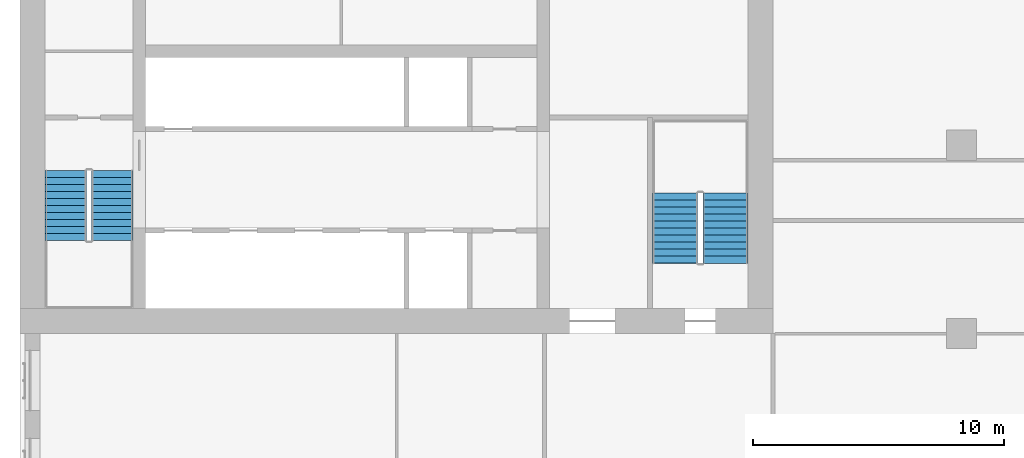
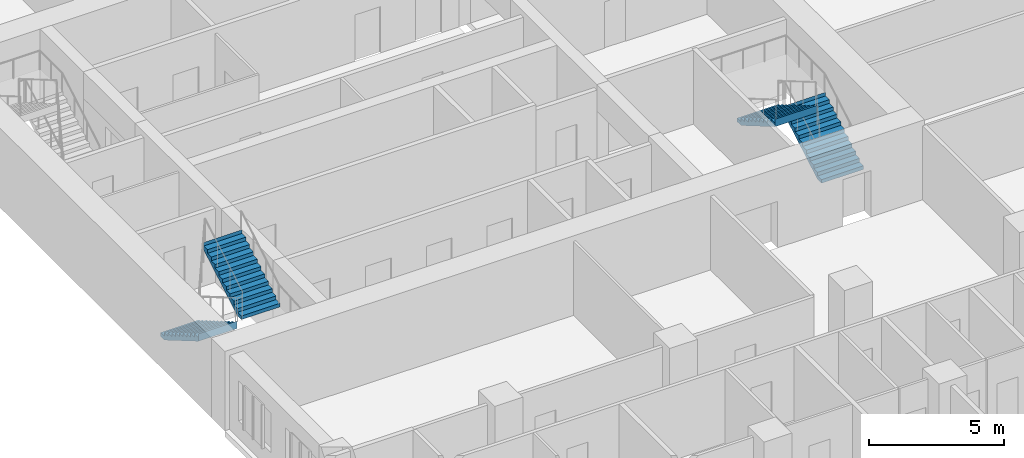
# One storey, part 13 of 15: 4 stair flights, 2 elements without a shape of their own.
"""IFC4 building model written with IfcOpenShell, lengths in metres."""

from ifc_helpers import new_model, si_unit, direction, frame, origin, place, context, subcontext, project, spatial, polyline, outline, extrude, material, type_object, element, aggregate, save


model = new_model("IFC4")

# Units and contexts
model_context = context("Model", 3, precision=1e-05, world=origin(), true_north=direction((0.0, 1.0)))
body_context = subcontext(model_context, "Body", "Model", "MODEL_VIEW")
ifc_project = project(units=[si_unit("LENGTHUNIT", "METRE"), si_unit("AREAUNIT", "SQUARE_METRE"), si_unit("VOLUMEUNIT", "CUBIC_METRE"), si_unit("PLANEANGLEUNIT", "RADIAN"), si_unit("MASSUNIT", "GRAM", prefix="KILO")], contexts=[model_context])

# Site, building, storey
site_placement = place(None, origin())
site = spatial("IfcSite", under=ifc_project, at=site_placement, CompositionType="ELEMENT")
building_placement = place(site_placement, origin())
building = spatial("IfcBuilding", under=site, at=building_placement, Name="Tamorin Gate", CompositionType="ELEMENT")
storey_placement = place(building_placement, frame((0.0, 0.0, 62.800048828125)))
storey = spatial("IfcBuildingStorey", under=building, at=storey_placement, Name="L14", CompositionType="ELEMENT", Elevation=62.800048828125)

# Stair, stair flights
ifc_material = material(Name="Concrete C40/50", Category="concrete")
stair_type = type_object("IfcStairType", Name="Exit stair", PredefinedType="HALF_TURN_STAIR", material=ifc_material)
stair_1_placement = place(storey_placement, origin())
stair_1 = element("IfcStair", 1, at=stair_1_placement, inside=storey, type_object=stair_type, Name="L14 stair ST1", PredefinedType="HALF_TURN_STAIR")
stair_flight_type = type_object("IfcStairFlightType", Name="Exit stair flight", PredefinedType="STRAIGHT", material=ifc_material)
stair_flight_1_placement = place(storey_placement, frame((31.824951171875, 66.5, 0.0), z_axis=(0.0, 0.0, 1.0), x_axis=(0.0, -1.0, 0.0)))
stair_flight_1 = element("IfcStairFlight", 2, at=stair_flight_1_placement, type_object=stair_flight_type, Name="ST1 flight 1", NumberOfRisers=11, NumberOfTreads=10, PredefinedType="STRAIGHT", RiserHeight=0.163636364, TreadLength=0.28, context=body_context, shape_type="SweptSolid", body=[
    extrude(outline(polyline([(-0.00048828125, 0.0), (-0.00048828125, 0.001708984375), (-0.00048828125, 0.003173828125), (-0.00048828125, 0.0048828125), (-0.00048828125, 0.006591796875), (-0.00048828125, 0.008056640625), (-0.00048828125, 0.009765625), (-0.00048828125, 0.01123046875), (-0.00048828125, 0.012939453125), (-0.00048828125, 0.0146484375), (-0.00048828125, 0.01611328125), (-0.00048828125, 0.017822265625), (-0.00048828125, 0.01953125), (-0.00048828125, 0.02099609375), (-0.00048828125, 0.022705078125), (-0.00048828125, 0.0244140625), (-0.00048828125, 0.02587890625), (-0.00048828125, 0.027587890625), (-0.00048828125, 0.029052734375), (-0.00048828125, 0.03076171875), (-0.00048828125, 0.032470703125), (-0.00048828125, 0.033935546875), (-0.00048828125, 0.03564453125), (-0.00048828125, 0.037353515625), (-0.00048828125, 0.038818359375), (-0.00048828125, 0.04052734375), (-0.00048828125, 0.042236328125), (-0.00048828125, 0.043701171875), (-0.00048828125, 0.04541015625), (-0.00048828125, 0.046875), (-0.00048828125, 0.048583984375), (-0.00048828125, 0.05029296875), (-0.00048828125, 0.0517578125), (-0.00048828125, 0.053466796875), (-0.00048828125, 0.05517578125), (-0.00048828125, 0.056640625), (-0.00048828125, 0.058349609375), (-0.00048828125, 0.06005859375), (-0.00048828125, 0.0615234375), (-0.00048828125, 0.063232421875), (-0.00048828125, 0.064697265625), (-0.00048828125, 0.06640625), (-0.00048828125, 0.068115234375), (-0.00048828125, 0.069580078125), (-0.00048828125, 0.0712890625), (-0.00048828125, 0.072998046875), (-0.00048828125, 0.074462890625), (-0.00048828125, 0.076171875), (-0.00048828125, 0.077880859375), (-0.00048828125, 0.079345703125), (-0.00048828125, 0.0810546875), (-0.00048828125, 0.08251953125), (-0.00048828125, 0.084228515625), (-0.00048828125, 0.0859375), (-0.00048828125, 0.08740234375), (-0.00048828125, 0.089111328125), (-0.00048828125, 0.0908203125), (-0.00048828125, 0.09228515625), (-0.00048828125, 0.093994140625), (-0.00048828125, 0.095703125), (-0.00048828125, 0.09716796875), (-0.00048828125, 0.098876953125), (-0.00048828125, 0.100341796875), (-0.00048828125, 0.10205078125), (-0.00048828125, 0.103759765625), (-0.00048828125, 0.105224609375), (-0.00048828125, 0.10693359375), (-0.00048828125, 0.108642578125), (-0.00048828125, 0.110107421875), (-0.00048828125, 0.11181640625), (-0.00048828125, 0.113525390625), (-0.00048828125, 0.114990234375), (-0.00048828125, 0.11669921875), (-0.00048828125, 0.1181640625), (-0.00048828125, 0.119873046875), (-0.00048828125, 0.12158203125), (-0.00048828125, 0.123046875), (-0.00048828125, 0.124755859375), (-0.00048828125, 0.12646484375), (-0.00048828125, 0.1279296875), (-0.00048828125, 0.129638671875), (-0.00048828125, 0.13134765625), (-0.00048828125, 0.1328125), (-0.00048828125, 0.134521484375), (-0.00048828125, 0.135986328125), (-0.00048828125, 0.1376953125), (-0.00048828125, 0.139404296875), (-0.00048828125, 0.140869140625), (-0.00048828125, 0.142578125), (-0.00048828125, 0.144287109375), (-0.00048828125, 0.145751953125), (-0.00048828125, 0.1474609375), (-0.00048828125, 0.149169921875), (-0.00048828125, 0.150634765625), (-0.00048828125, 0.15234375), (-0.00048828125, 0.15380859375), (-0.00048828125, 0.155517578125), (-0.00048828125, 0.1572265625), (-0.00048828125, 0.15869140625), (-0.00048828125, 0.160400390625), (-0.00048828125, 0.162109375), (-0.00048828125, 0.16357421875), (0.280029296875, 0.16357421875), (0.280029296875, 0.327392578125), (0.56005859375, 0.327392578125), (0.56005859375, 0.490966796875), (0.840087890625, 0.490966796875), (0.840087890625, 0.654541015625), (1.1201171875, 0.654541015625), (1.1201171875, 0.818115234375), (1.39990234375, 0.818115234375), (1.39990234375, 0.98193359375), (1.679931640625, 0.98193359375), (1.679931640625, 1.1455078125), (1.9599609375, 1.1455078125), (1.9599609375, 1.30908203125), (2.239990234375, 1.30908203125), (2.239990234375, 1.47265625), (2.52001953125, 1.47265625), (2.52001953125, 1.636474609375), (2.800048828125, 1.636474609375), (2.800048828125, 1.800048828125), (2.800537109375, 1.800048828125), (2.800537109375, 1.796630859375), (2.800537109375, 1.793212890625), (2.800537109375, 1.7900390625), (2.800537109375, 1.78662109375), (2.800537109375, 1.783203125), (2.800537109375, 1.780029296875), (2.800537109375, 1.776611328125), (2.800537109375, 1.773193359375), (2.800537109375, 1.77001953125), (2.800537109375, 1.7666015625), (2.800537109375, 1.76318359375), (2.800537109375, 1.760009765625), (2.800537109375, 1.756591796875), (2.800537109375, 1.753173828125), (2.800537109375, 1.75), (2.800537109375, 1.74658203125), (2.800537109375, 1.7431640625), (2.800537109375, 1.739990234375), (2.800537109375, 1.736572265625), (2.800537109375, 1.733154296875), (2.800537109375, 1.72998046875), (2.800537109375, 1.7265625), (2.800537109375, 1.72314453125), (2.800537109375, 1.719970703125), (2.800537109375, 1.716552734375), (2.800537109375, 1.713134765625), (2.800537109375, 1.7099609375), (2.800537109375, 1.70654296875), (2.800537109375, 1.703125), (2.800537109375, 1.69970703125), (2.800537109375, 1.696533203125), (2.800537109375, 1.693115234375), (2.800537109375, 1.689697265625), (2.800537109375, 1.6865234375), (2.800537109375, 1.68310546875), (2.800537109375, 1.6796875), (2.800537109375, 1.676513671875), (2.800537109375, 1.673095703125), (2.800537109375, 1.669677734375), (2.800537109375, 1.66650390625), (2.800537109375, 1.6630859375), (2.800537109375, 1.65966796875), (2.800537109375, 1.656494140625), (2.800537109375, 1.653076171875), (2.800537109375, 1.649658203125), (2.800537109375, 1.646484375), (2.800537109375, 1.64306640625), (2.800537109375, 1.6396484375), (2.800537109375, 1.636474609375), (2.800537109375, 1.633056640625), (2.800537109375, 1.629638671875), (2.800537109375, 1.62646484375), (2.800537109375, 1.623046875), (2.800537109375, 1.61962890625), (2.800537109375, 1.616455078125), (2.800537109375, 1.613037109375), (2.800537109375, 1.609619140625), (2.800537109375, 1.6064453125), (2.800537109375, 1.60302734375), (2.800537109375, 1.599609375), (2.800537109375, 1.59619140625), (2.800537109375, 1.593017578125), (2.800537109375, 1.589599609375), (2.800537109375, 1.586181640625), (2.800537109375, 1.5830078125), (2.800537109375, 1.57958984375), (2.800537109375, 1.576171875), (2.800537109375, 1.572998046875), (2.800537109375, 1.569580078125), (2.800537109375, 1.566162109375), (2.800537109375, 1.56298828125), (2.800537109375, 1.5595703125), (2.800537109375, 1.55615234375), (2.800537109375, 1.552978515625), (2.800537109375, 1.549560546875), (2.800537109375, 1.546142578125), (2.800537109375, 1.54296875), (2.800537109375, 1.53955078125), (2.800537109375, 1.5361328125), (2.800537109375, 1.532958984375), (2.800537109375, 1.529541015625), (2.800537109375, 1.526123046875), (2.800537109375, 1.52294921875), (2.800537109375, 1.51953125), (2.800537109375, 1.51611328125), (2.800537109375, 1.512939453125), (2.800537109375, 1.509521484375), (2.800537109375, 1.506103515625), (2.800537109375, 1.5029296875), (2.800537109375, 1.49951171875), (2.800537109375, 1.49609375), (2.800537109375, 1.49267578125), (2.800537109375, 1.489501953125), (2.800537109375, 1.486083984375), (2.800537109375, 1.482666015625), (2.800537109375, 1.4794921875), (2.800537109375, 1.47607421875), (2.800537109375, 1.47265625), (2.800537109375, 1.469482421875), (2.800537109375, 1.466064453125), (2.800537109375, 1.462646484375), (2.800048828125, 1.462646484375), (0.297119140625, 0.0), (-0.00048828125, 0.0)])), frame((0.0, 0.824951171875, 0.0), z_axis=(0.0, -1.0, 0.0), x_axis=(1.0, 0.0, 0.0)), (0.0, 0.0, 1.0), 1.64990234375),
])
stair_flight_2_placement = place(storey_placement, frame((33.675048828125, 63.699951171875, 1.800048828125), z_axis=(0.0, 0.0, 1.0), x_axis=(0.0, 1.0, 0.0)))
stair_flight_2 = element("IfcStairFlight", 3, at=stair_flight_2_placement, type_object=stair_flight_type, Name="ST1 flight 2", NumberOfRisers=11, NumberOfTreads=10, PredefinedType="STRAIGHT", RiserHeight=0.163636364, TreadLength=0.28, context=body_context, shape_type="SweptSolid", body=[
    extrude(outline(polyline([(-0.00048828125, 0.0), (-0.00048828125, 0.001708984375), (-0.00048828125, 0.003173828125), (-0.00048828125, 0.0048828125), (-0.00048828125, 0.006591796875), (-0.00048828125, 0.008056640625), (-0.00048828125, 0.009765625), (-0.00048828125, 0.01123046875), (-0.00048828125, 0.012939453125), (-0.00048828125, 0.0146484375), (-0.00048828125, 0.01611328125), (-0.00048828125, 0.017822265625), (-0.00048828125, 0.01953125), (-0.00048828125, 0.02099609375), (-0.00048828125, 0.022705078125), (-0.00048828125, 0.0244140625), (-0.00048828125, 0.02587890625), (-0.00048828125, 0.027587890625), (-0.00048828125, 0.029052734375), (-0.00048828125, 0.03076171875), (-0.00048828125, 0.032470703125), (-0.00048828125, 0.033935546875), (-0.00048828125, 0.03564453125), (-0.00048828125, 0.037353515625), (-0.00048828125, 0.038818359375), (-0.00048828125, 0.04052734375), (-0.00048828125, 0.042236328125), (-0.00048828125, 0.043701171875), (-0.00048828125, 0.04541015625), (-0.00048828125, 0.046875), (-0.00048828125, 0.048583984375), (-0.00048828125, 0.05029296875), (-0.00048828125, 0.0517578125), (-0.00048828125, 0.053466796875), (-0.00048828125, 0.05517578125), (-0.00048828125, 0.056640625), (-0.00048828125, 0.058349609375), (-0.00048828125, 0.06005859375), (-0.00048828125, 0.0615234375), (-0.00048828125, 0.063232421875), (-0.00048828125, 0.064697265625), (-0.00048828125, 0.06640625), (-0.00048828125, 0.068115234375), (-0.00048828125, 0.069580078125), (-0.00048828125, 0.0712890625), (-0.00048828125, 0.072998046875), (-0.00048828125, 0.074462890625), (-0.00048828125, 0.076171875), (-0.00048828125, 0.077880859375), (-0.00048828125, 0.079345703125), (-0.00048828125, 0.0810546875), (-0.00048828125, 0.08251953125), (-0.00048828125, 0.084228515625), (-0.00048828125, 0.0859375), (-0.00048828125, 0.08740234375), (-0.00048828125, 0.089111328125), (-0.00048828125, 0.0908203125), (-0.00048828125, 0.09228515625), (-0.00048828125, 0.093994140625), (-0.00048828125, 0.095703125), (-0.00048828125, 0.09716796875), (-0.00048828125, 0.098876953125), (-0.00048828125, 0.100341796875), (-0.00048828125, 0.10205078125), (-0.00048828125, 0.103759765625), (-0.00048828125, 0.105224609375), (-0.00048828125, 0.10693359375), (-0.00048828125, 0.108642578125), (-0.00048828125, 0.110107421875), (-0.00048828125, 0.11181640625), (-0.00048828125, 0.113525390625), (-0.00048828125, 0.114990234375), (-0.00048828125, 0.11669921875), (-0.00048828125, 0.1181640625), (-0.00048828125, 0.119873046875), (-0.00048828125, 0.12158203125), (-0.00048828125, 0.123046875), (-0.00048828125, 0.124755859375), (-0.00048828125, 0.12646484375), (-0.00048828125, 0.1279296875), (-0.00048828125, 0.129638671875), (-0.00048828125, 0.13134765625), (-0.00048828125, 0.1328125), (-0.00048828125, 0.134521484375), (-0.00048828125, 0.135986328125), (-0.00048828125, 0.1376953125), (-0.00048828125, 0.139404296875), (-0.00048828125, 0.140869140625), (-0.00048828125, 0.142578125), (-0.00048828125, 0.144287109375), (-0.00048828125, 0.145751953125), (-0.00048828125, 0.1474609375), (-0.00048828125, 0.149169921875), (-0.00048828125, 0.150634765625), (-0.00048828125, 0.15234375), (-0.00048828125, 0.15380859375), (-0.00048828125, 0.155517578125), (-0.00048828125, 0.1572265625), (-0.00048828125, 0.15869140625), (-0.00048828125, 0.160400390625), (-0.00048828125, 0.162109375), (-0.00048828125, 0.16357421875), (0.280029296875, 0.16357421875), (0.280029296875, 0.327392578125), (0.56005859375, 0.327392578125), (0.56005859375, 0.490966796875), (0.840087890625, 0.490966796875), (0.840087890625, 0.654541015625), (1.1201171875, 0.654541015625), (1.1201171875, 0.818115234375), (1.39990234375, 0.818115234375), (1.39990234375, 0.98193359375), (1.679931640625, 0.98193359375), (1.679931640625, 1.1455078125), (1.9599609375, 1.1455078125), (1.9599609375, 1.30908203125), (2.239990234375, 1.30908203125), (2.239990234375, 1.47265625), (2.52001953125, 1.47265625), (2.52001953125, 1.636474609375), (2.800048828125, 1.636474609375), (2.800048828125, 1.800048828125), (2.800537109375, 1.800048828125), (2.800537109375, 1.796630859375), (2.800537109375, 1.793212890625), (2.800537109375, 1.7900390625), (2.800537109375, 1.78662109375), (2.800537109375, 1.783203125), (2.800537109375, 1.780029296875), (2.800537109375, 1.776611328125), (2.800537109375, 1.773193359375), (2.800537109375, 1.77001953125), (2.800537109375, 1.7666015625), (2.800537109375, 1.76318359375), (2.800537109375, 1.760009765625), (2.800537109375, 1.756591796875), (2.800537109375, 1.753173828125), (2.800537109375, 1.75), (2.800537109375, 1.74658203125), (2.800537109375, 1.7431640625), (2.800537109375, 1.739990234375), (2.800537109375, 1.736572265625), (2.800537109375, 1.733154296875), (2.800537109375, 1.72998046875), (2.800537109375, 1.7265625), (2.800537109375, 1.72314453125), (2.800537109375, 1.719970703125), (2.800537109375, 1.716552734375), (2.800537109375, 1.713134765625), (2.800537109375, 1.7099609375), (2.800537109375, 1.70654296875), (2.800537109375, 1.703125), (2.800537109375, 1.69970703125), (2.800537109375, 1.696533203125), (2.800537109375, 1.693115234375), (2.800537109375, 1.689697265625), (2.800537109375, 1.6865234375), (2.800537109375, 1.68310546875), (2.800537109375, 1.6796875), (2.800537109375, 1.676513671875), (2.800537109375, 1.673095703125), (2.800537109375, 1.669677734375), (2.800537109375, 1.66650390625), (2.800537109375, 1.6630859375), (2.800537109375, 1.65966796875), (2.800537109375, 1.656494140625), (2.800537109375, 1.653076171875), (2.800537109375, 1.649658203125), (2.800537109375, 1.646484375), (2.800537109375, 1.64306640625), (2.800537109375, 1.6396484375), (2.800537109375, 1.636474609375), (2.800537109375, 1.633056640625), (2.800537109375, 1.629638671875), (2.800537109375, 1.62646484375), (2.800537109375, 1.623046875), (2.800537109375, 1.61962890625), (2.800537109375, 1.616455078125), (2.800537109375, 1.613037109375), (2.800537109375, 1.609619140625), (2.800537109375, 1.6064453125), (2.800537109375, 1.60302734375), (2.800537109375, 1.599609375), (2.800537109375, 1.59619140625), (2.800537109375, 1.593017578125), (2.800537109375, 1.589599609375), (2.800537109375, 1.586181640625), (2.800537109375, 1.5830078125), (2.800537109375, 1.57958984375), (2.800537109375, 1.576171875), (2.800537109375, 1.572998046875), (2.800537109375, 1.569580078125), (2.800537109375, 1.566162109375), (2.800537109375, 1.56298828125), (2.800537109375, 1.5595703125), (2.800537109375, 1.55615234375), (2.800537109375, 1.552978515625), (2.800537109375, 1.549560546875), (2.800537109375, 1.546142578125), (2.800537109375, 1.54296875), (2.800537109375, 1.53955078125), (2.800537109375, 1.5361328125), (2.800537109375, 1.532958984375), (2.800537109375, 1.529541015625), (2.800537109375, 1.526123046875), (2.800537109375, 1.52294921875), (2.800537109375, 1.51953125), (2.800537109375, 1.51611328125), (2.800537109375, 1.512939453125), (2.800537109375, 1.509521484375), (2.800537109375, 1.506103515625), (2.800537109375, 1.5029296875), (2.800537109375, 1.49951171875), (2.800537109375, 1.49609375), (2.800537109375, 1.49267578125), (2.800537109375, 1.489501953125), (2.800537109375, 1.486083984375), (2.800537109375, 1.482666015625), (2.800537109375, 1.4794921875), (2.800537109375, 1.47607421875), (2.800537109375, 1.47265625), (2.800537109375, 1.469482421875), (2.800537109375, 1.466064453125), (2.800537109375, 1.462646484375), (2.800048828125, 1.462646484375), (0.297119140625, 0.0), (-0.00048828125, 0.0)])), frame((0.0, 0.824951171875, 0.0), z_axis=(0.0, -1.0, 0.0), x_axis=(1.0, 0.0, 0.0)), (0.0, 0.0, 1.0), 1.64990234375),
])
aggregate(stair_1, [stair_flight_1, stair_flight_2])

stair_2_placement = place(storey_placement, origin())
stair_2 = element("IfcStair", 4, at=stair_2_placement, inside=storey, type_object=stair_type, Name="L14 stair ST3", PredefinedType="HALF_TURN_STAIR")
stair_flight_3_placement = place(storey_placement, frame((58.10009765625, 62.800048828125, 0.0), z_axis=(0.0, 0.0, 1.0), x_axis=(0.0, 1.0, 0.0)))
stair_flight_3 = element("IfcStairFlight", 5, at=stair_flight_3_placement, type_object=stair_flight_type, Name="ST3 flight 1", NumberOfRisers=11, NumberOfTreads=10, PredefinedType="STRAIGHT", RiserHeight=0.163636364, TreadLength=0.28, context=body_context, shape_type="SweptSolid", body=[
    extrude(outline(polyline([(-0.00048828125, 0.0), (-0.00048828125, 0.001708984375), (-0.00048828125, 0.003173828125), (-0.00048828125, 0.0048828125), (-0.00048828125, 0.006591796875), (-0.00048828125, 0.008056640625), (-0.00048828125, 0.009765625), (-0.00048828125, 0.01123046875), (-0.00048828125, 0.012939453125), (-0.00048828125, 0.0146484375), (-0.00048828125, 0.01611328125), (-0.00048828125, 0.017822265625), (-0.00048828125, 0.01953125), (-0.00048828125, 0.02099609375), (-0.00048828125, 0.022705078125), (-0.00048828125, 0.0244140625), (-0.00048828125, 0.02587890625), (-0.00048828125, 0.027587890625), (-0.00048828125, 0.029052734375), (-0.00048828125, 0.03076171875), (-0.00048828125, 0.032470703125), (-0.00048828125, 0.033935546875), (-0.00048828125, 0.03564453125), (-0.00048828125, 0.037353515625), (-0.00048828125, 0.038818359375), (-0.00048828125, 0.04052734375), (-0.00048828125, 0.042236328125), (-0.00048828125, 0.043701171875), (-0.00048828125, 0.04541015625), (-0.00048828125, 0.046875), (-0.00048828125, 0.048583984375), (-0.00048828125, 0.05029296875), (-0.00048828125, 0.0517578125), (-0.00048828125, 0.053466796875), (-0.00048828125, 0.05517578125), (-0.00048828125, 0.056640625), (-0.00048828125, 0.058349609375), (-0.00048828125, 0.06005859375), (-0.00048828125, 0.0615234375), (-0.00048828125, 0.063232421875), (-0.00048828125, 0.064697265625), (-0.00048828125, 0.06640625), (-0.00048828125, 0.068115234375), (-0.00048828125, 0.069580078125), (-0.00048828125, 0.0712890625), (-0.00048828125, 0.072998046875), (-0.00048828125, 0.074462890625), (-0.00048828125, 0.076171875), (-0.00048828125, 0.077880859375), (-0.00048828125, 0.079345703125), (-0.00048828125, 0.0810546875), (-0.00048828125, 0.08251953125), (-0.00048828125, 0.084228515625), (-0.00048828125, 0.0859375), (-0.00048828125, 0.08740234375), (-0.00048828125, 0.089111328125), (-0.00048828125, 0.0908203125), (-0.00048828125, 0.09228515625), (-0.00048828125, 0.093994140625), (-0.00048828125, 0.095703125), (-0.00048828125, 0.09716796875), (-0.00048828125, 0.098876953125), (-0.00048828125, 0.100341796875), (-0.00048828125, 0.10205078125), (-0.00048828125, 0.103759765625), (-0.00048828125, 0.105224609375), (-0.00048828125, 0.10693359375), (-0.00048828125, 0.108642578125), (-0.00048828125, 0.110107421875), (-0.00048828125, 0.11181640625), (-0.00048828125, 0.113525390625), (-0.00048828125, 0.114990234375), (-0.00048828125, 0.11669921875), (-0.00048828125, 0.1181640625), (-0.00048828125, 0.119873046875), (-0.00048828125, 0.12158203125), (-0.00048828125, 0.123046875), (-0.00048828125, 0.124755859375), (-0.00048828125, 0.12646484375), (-0.00048828125, 0.1279296875), (-0.00048828125, 0.129638671875), (-0.00048828125, 0.13134765625), (-0.00048828125, 0.1328125), (-0.00048828125, 0.134521484375), (-0.00048828125, 0.135986328125), (-0.00048828125, 0.1376953125), (-0.00048828125, 0.139404296875), (-0.00048828125, 0.140869140625), (-0.00048828125, 0.142578125), (-0.00048828125, 0.144287109375), (-0.00048828125, 0.145751953125), (-0.00048828125, 0.1474609375), (-0.00048828125, 0.149169921875), (-0.00048828125, 0.150634765625), (-0.00048828125, 0.15234375), (-0.00048828125, 0.15380859375), (-0.00048828125, 0.155517578125), (-0.00048828125, 0.1572265625), (-0.00048828125, 0.15869140625), (-0.00048828125, 0.160400390625), (-0.00048828125, 0.162109375), (-0.00048828125, 0.16357421875), (0.280029296875, 0.16357421875), (0.280029296875, 0.327392578125), (0.56005859375, 0.327392578125), (0.56005859375, 0.490966796875), (0.840087890625, 0.490966796875), (0.840087890625, 0.654541015625), (1.1201171875, 0.654541015625), (1.1201171875, 0.818115234375), (1.39990234375, 0.818115234375), (1.39990234375, 0.98193359375), (1.679931640625, 0.98193359375), (1.679931640625, 1.1455078125), (1.9599609375, 1.1455078125), (1.9599609375, 1.30908203125), (2.239990234375, 1.30908203125), (2.239990234375, 1.47265625), (2.52001953125, 1.47265625), (2.52001953125, 1.636474609375), (2.800048828125, 1.636474609375), (2.800048828125, 1.800048828125), (2.800537109375, 1.800048828125), (2.800537109375, 1.796630859375), (2.800537109375, 1.793212890625), (2.800537109375, 1.7900390625), (2.800537109375, 1.78662109375), (2.800537109375, 1.783203125), (2.800537109375, 1.780029296875), (2.800537109375, 1.776611328125), (2.800537109375, 1.773193359375), (2.800537109375, 1.77001953125), (2.800537109375, 1.7666015625), (2.800537109375, 1.76318359375), (2.800537109375, 1.760009765625), (2.800537109375, 1.756591796875), (2.800537109375, 1.753173828125), (2.800537109375, 1.75), (2.800537109375, 1.74658203125), (2.800537109375, 1.7431640625), (2.800537109375, 1.739990234375), (2.800537109375, 1.736572265625), (2.800537109375, 1.733154296875), (2.800537109375, 1.72998046875), (2.800537109375, 1.7265625), (2.800537109375, 1.72314453125), (2.800537109375, 1.719970703125), (2.800537109375, 1.716552734375), (2.800537109375, 1.713134765625), (2.800537109375, 1.7099609375), (2.800537109375, 1.70654296875), (2.800537109375, 1.703125), (2.800537109375, 1.69970703125), (2.800537109375, 1.696533203125), (2.800537109375, 1.693115234375), (2.800537109375, 1.689697265625), (2.800537109375, 1.6865234375), (2.800537109375, 1.68310546875), (2.800537109375, 1.6796875), (2.800537109375, 1.676513671875), (2.800537109375, 1.673095703125), (2.800537109375, 1.669677734375), (2.800537109375, 1.66650390625), (2.800537109375, 1.6630859375), (2.800537109375, 1.65966796875), (2.800537109375, 1.656494140625), (2.800537109375, 1.653076171875), (2.800537109375, 1.649658203125), (2.800537109375, 1.646484375), (2.800537109375, 1.64306640625), (2.800537109375, 1.6396484375), (2.800537109375, 1.636474609375), (2.800537109375, 1.633056640625), (2.800537109375, 1.629638671875), (2.800537109375, 1.62646484375), (2.800537109375, 1.623046875), (2.800537109375, 1.61962890625), (2.800537109375, 1.616455078125), (2.800537109375, 1.613037109375), (2.800537109375, 1.609619140625), (2.800537109375, 1.6064453125), (2.800537109375, 1.60302734375), (2.800537109375, 1.599609375), (2.800537109375, 1.59619140625), (2.800537109375, 1.593017578125), (2.800537109375, 1.589599609375), (2.800537109375, 1.586181640625), (2.800537109375, 1.5830078125), (2.800537109375, 1.57958984375), (2.800537109375, 1.576171875), (2.800537109375, 1.572998046875), (2.800537109375, 1.569580078125), (2.800537109375, 1.566162109375), (2.800537109375, 1.56298828125), (2.800537109375, 1.5595703125), (2.800537109375, 1.55615234375), (2.800537109375, 1.552978515625), (2.800537109375, 1.549560546875), (2.800537109375, 1.546142578125), (2.800537109375, 1.54296875), (2.800537109375, 1.53955078125), (2.800537109375, 1.5361328125), (2.800537109375, 1.532958984375), (2.800537109375, 1.529541015625), (2.800537109375, 1.526123046875), (2.800537109375, 1.52294921875), (2.800537109375, 1.51953125), (2.800537109375, 1.51611328125), (2.800537109375, 1.512939453125), (2.800537109375, 1.509521484375), (2.800537109375, 1.506103515625), (2.800537109375, 1.5029296875), (2.800537109375, 1.49951171875), (2.800537109375, 1.49609375), (2.800537109375, 1.49267578125), (2.800537109375, 1.489501953125), (2.800537109375, 1.486083984375), (2.800537109375, 1.482666015625), (2.800537109375, 1.4794921875), (2.800537109375, 1.47607421875), (2.800537109375, 1.47265625), (2.800537109375, 1.469482421875), (2.800537109375, 1.466064453125), (2.800537109375, 1.462646484375), (2.800048828125, 1.462646484375), (0.297119140625, 0.0), (-0.00048828125, 0.0)])), frame((0.0, 0.89990234375, 0.0), z_axis=(0.0, -1.0, 0.0), x_axis=(1.0, 0.0, 0.0)), (0.0, 0.0, 1.0), 1.800048828125),
])
stair_flight_4_placement = place(storey_placement, frame((56.10009765625, 65.60009765625, 1.800048828125), z_axis=(0.0, 0.0, 1.0), x_axis=(0.0, -1.0, 0.0)))
stair_flight_4 = element("IfcStairFlight", 6, at=stair_flight_4_placement, type_object=stair_flight_type, Name="ST3 flight 2", NumberOfRisers=11, NumberOfTreads=10, PredefinedType="STRAIGHT", RiserHeight=0.163636364, TreadLength=0.28, context=body_context, shape_type="SweptSolid", body=[
    extrude(outline(polyline([(-0.00048828125, 0.0), (-0.00048828125, 0.001708984375), (-0.00048828125, 0.003173828125), (-0.00048828125, 0.0048828125), (-0.00048828125, 0.006591796875), (-0.00048828125, 0.008056640625), (-0.00048828125, 0.009765625), (-0.00048828125, 0.01123046875), (-0.00048828125, 0.012939453125), (-0.00048828125, 0.0146484375), (-0.00048828125, 0.01611328125), (-0.00048828125, 0.017822265625), (-0.00048828125, 0.01953125), (-0.00048828125, 0.02099609375), (-0.00048828125, 0.022705078125), (-0.00048828125, 0.0244140625), (-0.00048828125, 0.02587890625), (-0.00048828125, 0.027587890625), (-0.00048828125, 0.029052734375), (-0.00048828125, 0.03076171875), (-0.00048828125, 0.032470703125), (-0.00048828125, 0.033935546875), (-0.00048828125, 0.03564453125), (-0.00048828125, 0.037353515625), (-0.00048828125, 0.038818359375), (-0.00048828125, 0.04052734375), (-0.00048828125, 0.042236328125), (-0.00048828125, 0.043701171875), (-0.00048828125, 0.04541015625), (-0.00048828125, 0.046875), (-0.00048828125, 0.048583984375), (-0.00048828125, 0.05029296875), (-0.00048828125, 0.0517578125), (-0.00048828125, 0.053466796875), (-0.00048828125, 0.05517578125), (-0.00048828125, 0.056640625), (-0.00048828125, 0.058349609375), (-0.00048828125, 0.06005859375), (-0.00048828125, 0.0615234375), (-0.00048828125, 0.063232421875), (-0.00048828125, 0.064697265625), (-0.00048828125, 0.06640625), (-0.00048828125, 0.068115234375), (-0.00048828125, 0.069580078125), (-0.00048828125, 0.0712890625), (-0.00048828125, 0.072998046875), (-0.00048828125, 0.074462890625), (-0.00048828125, 0.076171875), (-0.00048828125, 0.077880859375), (-0.00048828125, 0.079345703125), (-0.00048828125, 0.0810546875), (-0.00048828125, 0.08251953125), (-0.00048828125, 0.084228515625), (-0.00048828125, 0.0859375), (-0.00048828125, 0.08740234375), (-0.00048828125, 0.089111328125), (-0.00048828125, 0.0908203125), (-0.00048828125, 0.09228515625), (-0.00048828125, 0.093994140625), (-0.00048828125, 0.095703125), (-0.00048828125, 0.09716796875), (-0.00048828125, 0.098876953125), (-0.00048828125, 0.100341796875), (-0.00048828125, 0.10205078125), (-0.00048828125, 0.103759765625), (-0.00048828125, 0.105224609375), (-0.00048828125, 0.10693359375), (-0.00048828125, 0.108642578125), (-0.00048828125, 0.110107421875), (-0.00048828125, 0.11181640625), (-0.00048828125, 0.113525390625), (-0.00048828125, 0.114990234375), (-0.00048828125, 0.11669921875), (-0.00048828125, 0.1181640625), (-0.00048828125, 0.119873046875), (-0.00048828125, 0.12158203125), (-0.00048828125, 0.123046875), (-0.00048828125, 0.124755859375), (-0.00048828125, 0.12646484375), (-0.00048828125, 0.1279296875), (-0.00048828125, 0.129638671875), (-0.00048828125, 0.13134765625), (-0.00048828125, 0.1328125), (-0.00048828125, 0.134521484375), (-0.00048828125, 0.135986328125), (-0.00048828125, 0.1376953125), (-0.00048828125, 0.139404296875), (-0.00048828125, 0.140869140625), (-0.00048828125, 0.142578125), (-0.00048828125, 0.144287109375), (-0.00048828125, 0.145751953125), (-0.00048828125, 0.1474609375), (-0.00048828125, 0.149169921875), (-0.00048828125, 0.150634765625), (-0.00048828125, 0.15234375), (-0.00048828125, 0.15380859375), (-0.00048828125, 0.155517578125), (-0.00048828125, 0.1572265625), (-0.00048828125, 0.15869140625), (-0.00048828125, 0.160400390625), (-0.00048828125, 0.162109375), (-0.00048828125, 0.16357421875), (0.280029296875, 0.16357421875), (0.280029296875, 0.327392578125), (0.56005859375, 0.327392578125), (0.56005859375, 0.490966796875), (0.840087890625, 0.490966796875), (0.840087890625, 0.654541015625), (1.1201171875, 0.654541015625), (1.1201171875, 0.818115234375), (1.39990234375, 0.818115234375), (1.39990234375, 0.98193359375), (1.679931640625, 0.98193359375), (1.679931640625, 1.1455078125), (1.9599609375, 1.1455078125), (1.9599609375, 1.30908203125), (2.239990234375, 1.30908203125), (2.239990234375, 1.47265625), (2.52001953125, 1.47265625), (2.52001953125, 1.636474609375), (2.800048828125, 1.636474609375), (2.800048828125, 1.800048828125), (2.800537109375, 1.800048828125), (2.800537109375, 1.796630859375), (2.800537109375, 1.793212890625), (2.800537109375, 1.7900390625), (2.800537109375, 1.78662109375), (2.800537109375, 1.783203125), (2.800537109375, 1.780029296875), (2.800537109375, 1.776611328125), (2.800537109375, 1.773193359375), (2.800537109375, 1.77001953125), (2.800537109375, 1.7666015625), (2.800537109375, 1.76318359375), (2.800537109375, 1.760009765625), (2.800537109375, 1.756591796875), (2.800537109375, 1.753173828125), (2.800537109375, 1.75), (2.800537109375, 1.74658203125), (2.800537109375, 1.7431640625), (2.800537109375, 1.739990234375), (2.800537109375, 1.736572265625), (2.800537109375, 1.733154296875), (2.800537109375, 1.72998046875), (2.800537109375, 1.7265625), (2.800537109375, 1.72314453125), (2.800537109375, 1.719970703125), (2.800537109375, 1.716552734375), (2.800537109375, 1.713134765625), (2.800537109375, 1.7099609375), (2.800537109375, 1.70654296875), (2.800537109375, 1.703125), (2.800537109375, 1.69970703125), (2.800537109375, 1.696533203125), (2.800537109375, 1.693115234375), (2.800537109375, 1.689697265625), (2.800537109375, 1.6865234375), (2.800537109375, 1.68310546875), (2.800537109375, 1.6796875), (2.800537109375, 1.676513671875), (2.800537109375, 1.673095703125), (2.800537109375, 1.669677734375), (2.800537109375, 1.66650390625), (2.800537109375, 1.6630859375), (2.800537109375, 1.65966796875), (2.800537109375, 1.656494140625), (2.800537109375, 1.653076171875), (2.800537109375, 1.649658203125), (2.800537109375, 1.646484375), (2.800537109375, 1.64306640625), (2.800537109375, 1.6396484375), (2.800537109375, 1.636474609375), (2.800537109375, 1.633056640625), (2.800537109375, 1.629638671875), (2.800537109375, 1.62646484375), (2.800537109375, 1.623046875), (2.800537109375, 1.61962890625), (2.800537109375, 1.616455078125), (2.800537109375, 1.613037109375), (2.800537109375, 1.609619140625), (2.800537109375, 1.6064453125), (2.800537109375, 1.60302734375), (2.800537109375, 1.599609375), (2.800537109375, 1.59619140625), (2.800537109375, 1.593017578125), (2.800537109375, 1.589599609375), (2.800537109375, 1.586181640625), (2.800537109375, 1.5830078125), (2.800537109375, 1.57958984375), (2.800537109375, 1.576171875), (2.800537109375, 1.572998046875), (2.800537109375, 1.569580078125), (2.800537109375, 1.566162109375), (2.800537109375, 1.56298828125), (2.800537109375, 1.5595703125), (2.800537109375, 1.55615234375), (2.800537109375, 1.552978515625), (2.800537109375, 1.549560546875), (2.800537109375, 1.546142578125), (2.800537109375, 1.54296875), (2.800537109375, 1.53955078125), (2.800537109375, 1.5361328125), (2.800537109375, 1.532958984375), (2.800537109375, 1.529541015625), (2.800537109375, 1.526123046875), (2.800537109375, 1.52294921875), (2.800537109375, 1.51953125), (2.800537109375, 1.51611328125), (2.800537109375, 1.512939453125), (2.800537109375, 1.509521484375), (2.800537109375, 1.506103515625), (2.800537109375, 1.5029296875), (2.800537109375, 1.49951171875), (2.800537109375, 1.49609375), (2.800537109375, 1.49267578125), (2.800537109375, 1.489501953125), (2.800537109375, 1.486083984375), (2.800537109375, 1.482666015625), (2.800537109375, 1.4794921875), (2.800537109375, 1.47607421875), (2.800537109375, 1.47265625), (2.800537109375, 1.469482421875), (2.800537109375, 1.466064453125), (2.800537109375, 1.462646484375), (2.800048828125, 1.462646484375), (0.297119140625, 0.0), (-0.00048828125, 0.0)])), frame((0.0, 0.89990234375, 0.0), z_axis=(0.0, -1.0, 0.0), x_axis=(1.0, 0.0, 0.0)), (0.0, 0.0, 1.0), 1.800048828125),
])
aggregate(stair_2, [stair_flight_3, stair_flight_4])

save(model, "model.ifc")
